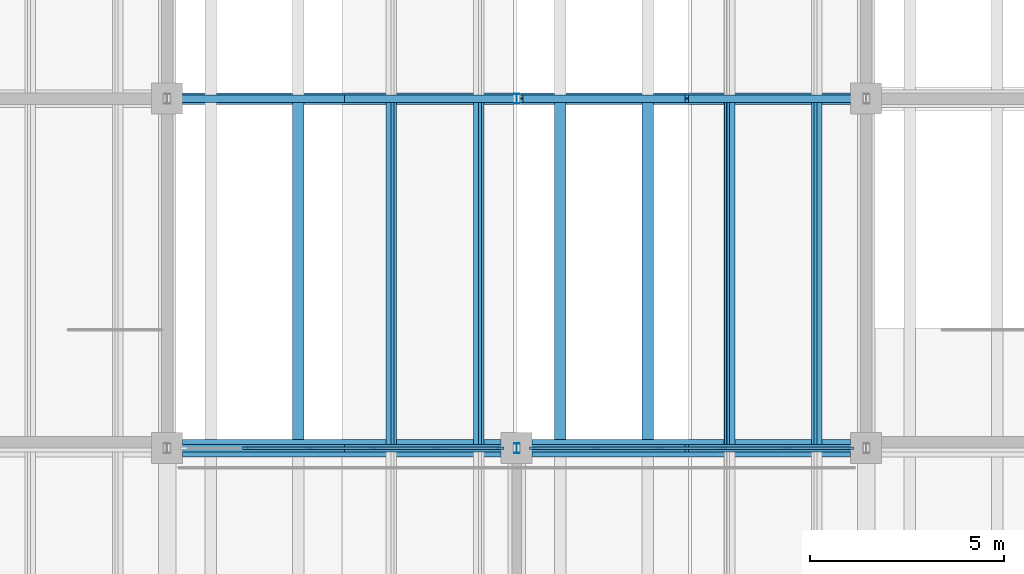
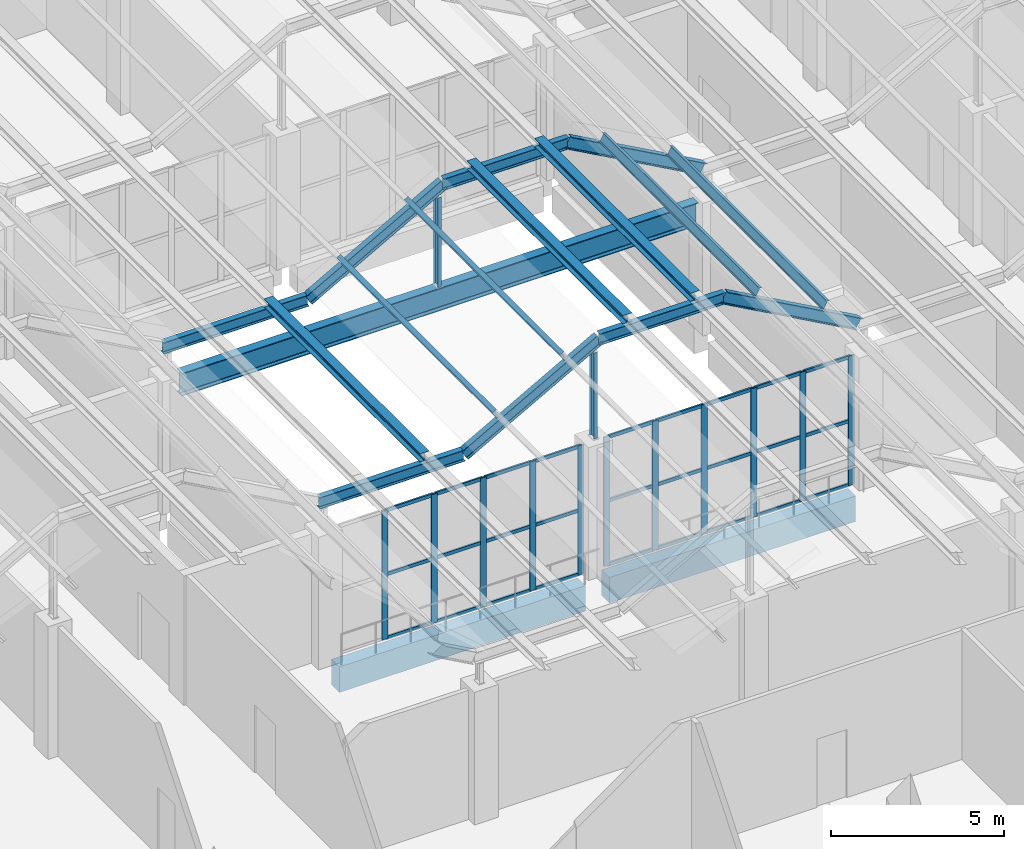
# One storey, part 35 of 437: 55 members, 3 beams, 2 elements without a shape of their own.
"""IFC4 building model written with IfcOpenShell, lengths in metres."""

from ifc_helpers import new_model, si_unit, direction, frame, origin, origin_2d, place, context, subcontext, project, spatial, rectangle, i_section, extrude, material, layer, layer_set, material_profile, profile_set, type_object, element, aggregate, save


model = new_model("IFC4")

# Units and contexts
model_context = context("Model", 3, precision=1e-05, world=origin(), true_north=direction((0.0, 1.0)))
body_context = subcontext(model_context, "Body", "Model", "MODEL_VIEW")
ifc_project = project(units=[si_unit("LENGTHUNIT", "METRE"), si_unit("AREAUNIT", "SQUARE_METRE"), si_unit("VOLUMEUNIT", "CUBIC_METRE"), si_unit("PLANEANGLEUNIT", "RADIAN"), si_unit("MASSUNIT", "GRAM", prefix="KILO")], contexts=[model_context])

# Site, building, storey
site_placement = place(None, origin())
site = spatial("IfcSite", under=ifc_project, at=site_placement, CompositionType="ELEMENT")
building_placement = place(site_placement, origin())
building = spatial("IfcBuilding", under=site, at=building_placement, Name="Opaline Strait Convention Centre", CompositionType="ELEMENT")
storey_placement = place(building_placement, frame((0.0, 0.0, 11.5)))
storey = spatial("IfcBuildingStorey", under=building, at=storey_placement, Name="L02", CompositionType="ELEMENT", Elevation=11.5)

# Beam
ifc_material_1 = material(Name="Steel Q355B", Category="steel")
ifc_material_profile_1 = material_profile(ifc_material_1, i_section(OverallWidth=0.300048828125, OverallDepth=0.800048828125, WebThickness=0.013916015625, FlangeThickness=0.02587890625, FilletRadius=0.01806640625, at=origin_2d()), Name="HN 800x300x14x26")
ifc_profile_set_1 = profile_set([ifc_material_profile_1], Name="Steel Q355B")
beam_type_1 = type_object("IfcBeamType", Name="Court roof beam HN 800x300x14x26", PredefinedType="BEAM", material=ifc_profile_set_1)
beam_placement = place(storey_placement, frame((36.39990234375, 54.0, 4.14990234375), z_axis=(1.0, 0.0, 0.0), x_axis=(0.0, 1.0, 0.0)))
element("IfcBeam", 1, at=beam_placement, inside=storey, type_object=beam_type_1, Name="RV1 court roof beam at y 54", PredefinedType="BEAM", context=body_context, shape_type="SweptSolid", body=[
    extrude(i_section(OverallWidth=0.300048828125, OverallDepth=0.800048828125, WebThickness=0.013916015625, FlangeThickness=0.02587890625, FilletRadius=0.01806640625, at=origin_2d()), origin(), (0.0, 0.0, 1.0), 17.2001953125),
])

# Members
ifc_material_profile_2 = material_profile(ifc_material_1, i_section(OverallWidth=0.300048828125, OverallDepth=0.300048828125, WebThickness=0.010009765625, FlangeThickness=0.014892578125, FilletRadius=0.012939453125, at=origin_2d()), Name="HW 300x300x10x15")
ifc_profile_set_2 = profile_set([ifc_material_profile_2], Name="Steel Q355B")
member_type_1 = type_object("IfcMemberType", Name="Crest purlin HW 300x300x10x15", PredefinedType="PURLIN", material=ifc_profile_set_2)
for number, where, z_axis, x_axis, name in (
    (2, (39.375, 45.0, 5.949951171875), (0.0, 1.0, 0.0), (-1.0, 0.0, 0.0), "RU1 purlin facet 7 line 2"),
    (3, (46.125, 45.0, 8.449951171875), (0.0, 1.0, 0.0), (-1.0, 0.0, 0.0), "RU1 purlin facet 9 line 1"),
    (4, (48.375, 45.0, 8.449951171875), (0.0, 1.0, 0.0), (-1.0, 0.0, 0.0), "RU1 purlin facet 9 line 2"),
):
    element("IfcMember", number, at=place(storey_placement, frame(where, z_axis=z_axis, x_axis=x_axis)), inside=storey, type_object=member_type_1, Name=name, PredefinedType="PURLIN", context=body_context, shape_type="SweptSolid", body=[
        extrude(i_section(OverallWidth=0.300048828125, OverallDepth=0.300048828125, WebThickness=0.010009765625, FlangeThickness=0.014892578125, FilletRadius=0.012939453125, at=origin_2d()), origin(), (0.0, 0.0, 1.0), 9.0),
    ])

# Curtain wall, members
ifc_material_2 = material(Name="Aluminium framed double glazing", Category="aluminium")
ifc_layer = layer(ifc_material_2, 0.199951171875)
ifc_layer_set = layer_set([ifc_layer], Name="Aluminium framed double glazing")
curtain_wall_type = type_object("IfcCurtainWallType", Name="Curtain wall 1500 module", PredefinedType="NOTDEFINED", material=ifc_layer_set)
curtain_wall_1_placement = place(storey_placement, origin())
curtain_wall_1 = element("IfcCurtainWall", 5, at=curtain_wall_1_placement, inside=storey, type_object=curtain_wall_type, Name="L02 court glazing Sc 1", PredefinedType="NOTDEFINED")
ifc_material_3 = material(Name="Aluminium alloy 6063", Category="aluminium")
ifc_material_profile_3 = material_profile(ifc_material_3, rectangle(XDim=0.06005859375, YDim=0.199951171875, at=origin_2d()), Name="Curtain wall mullion 60x200")
ifc_profile_set_3 = profile_set([ifc_material_profile_3], Name="Aluminium alloy 6063")
member_type_2 = type_object("IfcMemberType", Name="Curtain wall mullion 60x200", PredefinedType="MULLION", material=ifc_profile_set_3)
member_1_placement = place(storey_placement, frame((38.0400390625, 45.0, 0.0), z_axis=(0.0, 0.0, 1.0), x_axis=(0.0, 1.0, 0.0)))
member_1 = element("IfcMember", 6, at=member_1_placement, type_object=member_type_2, Name="RCW1 mullion 2", PredefinedType="MULLION", context=body_context, shape_type="SweptSolid", body=[
    extrude(rectangle(XDim=0.06005859375, YDim=0.199951171875, at=origin_2d()), origin(), (0.0, 0.0, 1.0), 4.550048828125),
])
member_2_placement = place(storey_placement, frame((39.679931640625, 45.0, 0.0), z_axis=(0.0, 0.0, 1.0), x_axis=(0.0, 1.0, 0.0)))
member_2 = element("IfcMember", 7, at=member_2_placement, type_object=member_type_2, Name="RCW1 mullion 3", PredefinedType="MULLION", context=body_context, shape_type="SweptSolid", body=[
    extrude(rectangle(XDim=0.06005859375, YDim=0.199951171875, at=origin_2d()), origin(), (0.0, 0.0, 1.0), 4.550048828125),
])
member_3_placement = place(storey_placement, frame((41.320068359375, 45.0, 0.0), z_axis=(0.0, 0.0, 1.0), x_axis=(0.0, 1.0, 0.0)))
member_3 = element("IfcMember", 8, at=member_3_placement, type_object=member_type_2, Name="RCW1 mullion 4", PredefinedType="MULLION", context=body_context, shape_type="SweptSolid", body=[
    extrude(rectangle(XDim=0.06005859375, YDim=0.199951171875, at=origin_2d()), origin(), (0.0, 0.0, 1.0), 4.550048828125),
])
member_4_placement = place(storey_placement, frame((42.9599609375, 45.0, 0.0), z_axis=(0.0, 0.0, 1.0), x_axis=(0.0, 1.0, 0.0)))
member_4 = element("IfcMember", 9, at=member_4_placement, type_object=member_type_2, Name="RCW1 mullion 5", PredefinedType="MULLION", context=body_context, shape_type="SweptSolid", body=[
    extrude(rectangle(XDim=0.06005859375, YDim=0.199951171875, at=origin_2d()), origin(), (0.0, 0.0, 1.0), 4.550048828125),
])
member_5_placement = place(storey_placement, frame((44.570068359375, 45.0, 0.0), z_axis=(0.0, 0.0, 1.0), x_axis=(0.0, 1.0, 0.0)))
member_5 = element("IfcMember", 10, at=member_5_placement, type_object=member_type_2, Name="RCW1 mullion 6", PredefinedType="MULLION", context=body_context, shape_type="SweptSolid", body=[
    extrude(rectangle(XDim=0.06005859375, YDim=0.199951171875, at=origin_2d()), origin(), (0.0, 0.0, 1.0), 4.550048828125),
])

curtain_wall_2_placement = place(storey_placement, origin())
curtain_wall_2 = element("IfcCurtainWall", 11, at=curtain_wall_2_placement, inside=storey, type_object=curtain_wall_type, Name="L02 court glazing Sc 2", PredefinedType="NOTDEFINED")
member_6_placement = place(storey_placement, frame((45.429931640625, 45.0, 0.0), z_axis=(0.0, 0.0, 1.0), x_axis=(0.0, 1.0, 0.0)))
member_6 = element("IfcMember", 12, at=member_6_placement, type_object=member_type_2, Name="RCW1 mullion 1", PredefinedType="MULLION", context=body_context, shape_type="SweptSolid", body=[
    extrude(rectangle(XDim=0.06005859375, YDim=0.199951171875, at=origin_2d()), origin(), (0.0, 0.0, 1.0), 4.550048828125),
])
member_7_placement = place(storey_placement, frame((47.0400390625, 45.0, 0.0), z_axis=(0.0, 0.0, 1.0), x_axis=(0.0, 1.0, 0.0)))
member_7 = element("IfcMember", 13, at=member_7_placement, type_object=member_type_2, Name="RCW1 mullion 2", PredefinedType="MULLION", context=body_context, shape_type="SweptSolid", body=[
    extrude(rectangle(XDim=0.06005859375, YDim=0.199951171875, at=origin_2d()), origin(), (0.0, 0.0, 1.0), 4.550048828125),
])
member_8_placement = place(storey_placement, frame((48.679931640625, 45.0, 0.0), z_axis=(0.0, 0.0, 1.0), x_axis=(0.0, 1.0, 0.0)))
member_8 = element("IfcMember", 14, at=member_8_placement, type_object=member_type_2, Name="RCW1 mullion 3", PredefinedType="MULLION", context=body_context, shape_type="SweptSolid", body=[
    extrude(rectangle(XDim=0.06005859375, YDim=0.199951171875, at=origin_2d()), origin(), (0.0, 0.0, 1.0), 4.550048828125),
])
member_9_placement = place(storey_placement, frame((50.320068359375, 45.0, 0.0), z_axis=(0.0, 0.0, 1.0), x_axis=(0.0, 1.0, 0.0)))
member_9 = element("IfcMember", 15, at=member_9_placement, type_object=member_type_2, Name="RCW1 mullion 4", PredefinedType="MULLION", context=body_context, shape_type="SweptSolid", body=[
    extrude(rectangle(XDim=0.06005859375, YDim=0.199951171875, at=origin_2d()), origin(), (0.0, 0.0, 1.0), 4.550048828125),
])
member_10_placement = place(storey_placement, frame((51.9599609375, 45.0, 0.0), z_axis=(0.0, 0.0, 1.0), x_axis=(0.0, 1.0, 0.0)))
member_10 = element("IfcMember", 16, at=member_10_placement, type_object=member_type_2, Name="RCW1 mullion 5", PredefinedType="MULLION", context=body_context, shape_type="SweptSolid", body=[
    extrude(rectangle(XDim=0.06005859375, YDim=0.199951171875, at=origin_2d()), origin(), (0.0, 0.0, 1.0), 4.550048828125),
])
member_11_placement = place(storey_placement, frame((53.570068359375, 45.0, 0.0), z_axis=(0.0, 0.0, 1.0), x_axis=(0.0, 1.0, 0.0)))
member_11 = element("IfcMember", 17, at=member_11_placement, type_object=member_type_2, Name="RCW1 mullion 6", PredefinedType="MULLION", context=body_context, shape_type="SweptSolid", body=[
    extrude(rectangle(XDim=0.06005859375, YDim=0.199951171875, at=origin_2d()), origin(), (0.0, 0.0, 1.0), 4.550048828125),
])

# Member
ifc_material_profile_4 = material_profile(ifc_material_3, rectangle(XDim=0.06005859375, YDim=0.1201171875, at=origin_2d()), Name="Curtain wall transom 60x120")
ifc_profile_set_4 = profile_set([ifc_material_profile_4], Name="Aluminium alloy 6063")
member_type_3 = type_object("IfcMemberType", Name="Curtain wall transom 60x120", PredefinedType="USERDEFINED", material=ifc_profile_set_4)
member_12_placement = place(storey_placement, frame((38.06982421875, 45.0, 0.030029296875), z_axis=(1.0, 0.0, 0.0), x_axis=(0.0, 1.0, 0.0)))
member_12 = element("IfcMember", 18, at=member_12_placement, type_object=member_type_3, Name="RCW1 transom 2.1", ObjectType="TRANSOM", PredefinedType="USERDEFINED", context=body_context, shape_type="SweptSolid", body=[
    extrude(rectangle(XDim=0.06005859375, YDim=0.1201171875, at=origin_2d()), origin(), (0.0, 0.0, 1.0), 1.580078125),
])

member_13_placement = place(storey_placement, frame((38.06982421875, 45.0, 2.27490234375), z_axis=(1.0, 0.0, 0.0), x_axis=(0.0, 1.0, 0.0)))
member_13 = element("IfcMember", 19, at=member_13_placement, type_object=member_type_3, Name="RCW1 transom 2.2", ObjectType="TRANSOM", PredefinedType="USERDEFINED", context=body_context, shape_type="SweptSolid", body=[
    extrude(rectangle(XDim=0.06005859375, YDim=0.1201171875, at=origin_2d()), origin(), (0.0, 0.0, 1.0), 1.580078125),
])

member_14_placement = place(storey_placement, frame((38.06982421875, 45.0, 4.52001953125), z_axis=(1.0, 0.0, 0.0), x_axis=(0.0, 1.0, 0.0)))
member_14 = element("IfcMember", 20, at=member_14_placement, type_object=member_type_3, Name="RCW1 transom 2.3", ObjectType="TRANSOM", PredefinedType="USERDEFINED", context=body_context, shape_type="SweptSolid", body=[
    extrude(rectangle(XDim=0.06005859375, YDim=0.1201171875, at=origin_2d()), origin(), (0.0, 0.0, 1.0), 1.580078125),
])

member_15_placement = place(storey_placement, frame((39.7099609375, 45.0, 0.030029296875), z_axis=(1.0, 0.0, 0.0), x_axis=(0.0, 1.0, 0.0)))
member_15 = element("IfcMember", 21, at=member_15_placement, type_object=member_type_3, Name="RCW1 transom 3.1", ObjectType="TRANSOM", PredefinedType="USERDEFINED", context=body_context, shape_type="SweptSolid", body=[
    extrude(rectangle(XDim=0.06005859375, YDim=0.1201171875, at=origin_2d()), origin(), (0.0, 0.0, 1.0), 1.580078125),
])

member_16_placement = place(storey_placement, frame((39.7099609375, 45.0, 2.27490234375), z_axis=(1.0, 0.0, 0.0), x_axis=(0.0, 1.0, 0.0)))
member_16 = element("IfcMember", 22, at=member_16_placement, type_object=member_type_3, Name="RCW1 transom 3.2", ObjectType="TRANSOM", PredefinedType="USERDEFINED", context=body_context, shape_type="SweptSolid", body=[
    extrude(rectangle(XDim=0.06005859375, YDim=0.1201171875, at=origin_2d()), origin(), (0.0, 0.0, 1.0), 1.580078125),
])

member_17_placement = place(storey_placement, frame((39.7099609375, 45.0, 4.52001953125), z_axis=(1.0, 0.0, 0.0), x_axis=(0.0, 1.0, 0.0)))
member_17 = element("IfcMember", 23, at=member_17_placement, type_object=member_type_3, Name="RCW1 transom 3.3", ObjectType="TRANSOM", PredefinedType="USERDEFINED", context=body_context, shape_type="SweptSolid", body=[
    extrude(rectangle(XDim=0.06005859375, YDim=0.1201171875, at=origin_2d()), origin(), (0.0, 0.0, 1.0), 1.580078125),
])

member_18_placement = place(storey_placement, frame((41.35009765625, 45.0, 0.030029296875), z_axis=(1.0, 0.0, 0.0), x_axis=(0.0, 1.0, 0.0)))
member_18 = element("IfcMember", 24, at=member_18_placement, type_object=member_type_3, Name="RCW1 transom 4.1", ObjectType="TRANSOM", PredefinedType="USERDEFINED", context=body_context, shape_type="SweptSolid", body=[
    extrude(rectangle(XDim=0.06005859375, YDim=0.1201171875, at=origin_2d()), origin(), (0.0, 0.0, 1.0), 1.580078125),
])

member_19_placement = place(storey_placement, frame((41.35009765625, 45.0, 2.27490234375), z_axis=(1.0, 0.0, 0.0), x_axis=(0.0, 1.0, 0.0)))
member_19 = element("IfcMember", 25, at=member_19_placement, type_object=member_type_3, Name="RCW1 transom 4.2", ObjectType="TRANSOM", PredefinedType="USERDEFINED", context=body_context, shape_type="SweptSolid", body=[
    extrude(rectangle(XDim=0.06005859375, YDim=0.1201171875, at=origin_2d()), origin(), (0.0, 0.0, 1.0), 1.580078125),
])

member_20_placement = place(storey_placement, frame((41.35009765625, 45.0, 4.52001953125), z_axis=(1.0, 0.0, 0.0), x_axis=(0.0, 1.0, 0.0)))
member_20 = element("IfcMember", 26, at=member_20_placement, type_object=member_type_3, Name="RCW1 transom 4.3", ObjectType="TRANSOM", PredefinedType="USERDEFINED", context=body_context, shape_type="SweptSolid", body=[
    extrude(rectangle(XDim=0.06005859375, YDim=0.1201171875, at=origin_2d()), origin(), (0.0, 0.0, 1.0), 1.580078125),
])

member_21_placement = place(storey_placement, frame((42.989990234375, 45.0, 0.030029296875), z_axis=(1.0, 0.0, 0.0), x_axis=(0.0, 1.0, 0.0)))
member_21 = element("IfcMember", 27, at=member_21_placement, type_object=member_type_3, Name="RCW1 transom 5.1", ObjectType="TRANSOM", PredefinedType="USERDEFINED", context=body_context, shape_type="SweptSolid", body=[
    extrude(rectangle(XDim=0.06005859375, YDim=0.1201171875, at=origin_2d()), origin(), (0.0, 0.0, 1.0), 1.550048828125),
])

member_22_placement = place(storey_placement, frame((42.989990234375, 45.0, 2.27490234375), z_axis=(1.0, 0.0, 0.0), x_axis=(0.0, 1.0, 0.0)))
member_22 = element("IfcMember", 28, at=member_22_placement, type_object=member_type_3, Name="RCW1 transom 5.2", ObjectType="TRANSOM", PredefinedType="USERDEFINED", context=body_context, shape_type="SweptSolid", body=[
    extrude(rectangle(XDim=0.06005859375, YDim=0.1201171875, at=origin_2d()), origin(), (0.0, 0.0, 1.0), 1.550048828125),
])

member_23_placement = place(storey_placement, frame((42.989990234375, 45.0, 4.52001953125), z_axis=(1.0, 0.0, 0.0), x_axis=(0.0, 1.0, 0.0)))
member_23 = element("IfcMember", 29, at=member_23_placement, type_object=member_type_3, Name="RCW1 transom 5.3", ObjectType="TRANSOM", PredefinedType="USERDEFINED", context=body_context, shape_type="SweptSolid", body=[
    extrude(rectangle(XDim=0.06005859375, YDim=0.1201171875, at=origin_2d()), origin(), (0.0, 0.0, 1.0), 1.550048828125),
])

aggregate(curtain_wall_1, [member_1, member_2, member_3, member_4, member_5, member_12, member_13, member_14, member_15, member_16, member_17, member_18, member_19, member_20, member_21, member_22, member_23])

member_24_placement = place(storey_placement, frame((45.4599609375, 45.0, 0.030029296875), z_axis=(1.0, 0.0, 0.0), x_axis=(0.0, 1.0, 0.0)))
member_24 = element("IfcMember", 30, at=member_24_placement, type_object=member_type_3, Name="RCW1 transom 1.1", ObjectType="TRANSOM", PredefinedType="USERDEFINED", context=body_context, shape_type="SweptSolid", body=[
    extrude(rectangle(XDim=0.06005859375, YDim=0.1201171875, at=origin_2d()), origin(), (0.0, 0.0, 1.0), 1.550048828125),
])

member_25_placement = place(storey_placement, frame((45.4599609375, 45.0, 2.27490234375), z_axis=(1.0, 0.0, 0.0), x_axis=(0.0, 1.0, 0.0)))
member_25 = element("IfcMember", 31, at=member_25_placement, type_object=member_type_3, Name="RCW1 transom 1.2", ObjectType="TRANSOM", PredefinedType="USERDEFINED", context=body_context, shape_type="SweptSolid", body=[
    extrude(rectangle(XDim=0.06005859375, YDim=0.1201171875, at=origin_2d()), origin(), (0.0, 0.0, 1.0), 1.550048828125),
])

member_26_placement = place(storey_placement, frame((45.4599609375, 45.0, 4.52001953125), z_axis=(1.0, 0.0, 0.0), x_axis=(0.0, 1.0, 0.0)))
member_26 = element("IfcMember", 32, at=member_26_placement, type_object=member_type_3, Name="RCW1 transom 1.3", ObjectType="TRANSOM", PredefinedType="USERDEFINED", context=body_context, shape_type="SweptSolid", body=[
    extrude(rectangle(XDim=0.06005859375, YDim=0.1201171875, at=origin_2d()), origin(), (0.0, 0.0, 1.0), 1.550048828125),
])

member_27_placement = place(storey_placement, frame((47.06982421875, 45.0, 0.030029296875), z_axis=(1.0, 0.0, 0.0), x_axis=(0.0, 1.0, 0.0)))
member_27 = element("IfcMember", 33, at=member_27_placement, type_object=member_type_3, Name="RCW1 transom 2.1", ObjectType="TRANSOM", PredefinedType="USERDEFINED", context=body_context, shape_type="SweptSolid", body=[
    extrude(rectangle(XDim=0.06005859375, YDim=0.1201171875, at=origin_2d()), origin(), (0.0, 0.0, 1.0), 1.580078125),
])

member_28_placement = place(storey_placement, frame((47.06982421875, 45.0, 2.27490234375), z_axis=(1.0, 0.0, 0.0), x_axis=(0.0, 1.0, 0.0)))
member_28 = element("IfcMember", 34, at=member_28_placement, type_object=member_type_3, Name="RCW1 transom 2.2", ObjectType="TRANSOM", PredefinedType="USERDEFINED", context=body_context, shape_type="SweptSolid", body=[
    extrude(rectangle(XDim=0.06005859375, YDim=0.1201171875, at=origin_2d()), origin(), (0.0, 0.0, 1.0), 1.580078125),
])

member_29_placement = place(storey_placement, frame((47.06982421875, 45.0, 4.52001953125), z_axis=(1.0, 0.0, 0.0), x_axis=(0.0, 1.0, 0.0)))
member_29 = element("IfcMember", 35, at=member_29_placement, type_object=member_type_3, Name="RCW1 transom 2.3", ObjectType="TRANSOM", PredefinedType="USERDEFINED", context=body_context, shape_type="SweptSolid", body=[
    extrude(rectangle(XDim=0.06005859375, YDim=0.1201171875, at=origin_2d()), origin(), (0.0, 0.0, 1.0), 1.580078125),
])

member_30_placement = place(storey_placement, frame((48.7099609375, 45.0, 0.030029296875), z_axis=(1.0, 0.0, 0.0), x_axis=(0.0, 1.0, 0.0)))
member_30 = element("IfcMember", 36, at=member_30_placement, type_object=member_type_3, Name="RCW1 transom 3.1", ObjectType="TRANSOM", PredefinedType="USERDEFINED", context=body_context, shape_type="SweptSolid", body=[
    extrude(rectangle(XDim=0.06005859375, YDim=0.1201171875, at=origin_2d()), origin(), (0.0, 0.0, 1.0), 1.580078125),
])

member_31_placement = place(storey_placement, frame((48.7099609375, 45.0, 2.27490234375), z_axis=(1.0, 0.0, 0.0), x_axis=(0.0, 1.0, 0.0)))
member_31 = element("IfcMember", 37, at=member_31_placement, type_object=member_type_3, Name="RCW1 transom 3.2", ObjectType="TRANSOM", PredefinedType="USERDEFINED", context=body_context, shape_type="SweptSolid", body=[
    extrude(rectangle(XDim=0.06005859375, YDim=0.1201171875, at=origin_2d()), origin(), (0.0, 0.0, 1.0), 1.580078125),
])

member_32_placement = place(storey_placement, frame((48.7099609375, 45.0, 4.52001953125), z_axis=(1.0, 0.0, 0.0), x_axis=(0.0, 1.0, 0.0)))
member_32 = element("IfcMember", 38, at=member_32_placement, type_object=member_type_3, Name="RCW1 transom 3.3", ObjectType="TRANSOM", PredefinedType="USERDEFINED", context=body_context, shape_type="SweptSolid", body=[
    extrude(rectangle(XDim=0.06005859375, YDim=0.1201171875, at=origin_2d()), origin(), (0.0, 0.0, 1.0), 1.580078125),
])

member_33_placement = place(storey_placement, frame((50.35009765625, 45.0, 0.030029296875), z_axis=(1.0, 0.0, 0.0), x_axis=(0.0, 1.0, 0.0)))
member_33 = element("IfcMember", 39, at=member_33_placement, type_object=member_type_3, Name="RCW1 transom 4.1", ObjectType="TRANSOM", PredefinedType="USERDEFINED", context=body_context, shape_type="SweptSolid", body=[
    extrude(rectangle(XDim=0.06005859375, YDim=0.1201171875, at=origin_2d()), origin(), (0.0, 0.0, 1.0), 1.580078125),
])

member_34_placement = place(storey_placement, frame((50.35009765625, 45.0, 2.27490234375), z_axis=(1.0, 0.0, 0.0), x_axis=(0.0, 1.0, 0.0)))
member_34 = element("IfcMember", 40, at=member_34_placement, type_object=member_type_3, Name="RCW1 transom 4.2", ObjectType="TRANSOM", PredefinedType="USERDEFINED", context=body_context, shape_type="SweptSolid", body=[
    extrude(rectangle(XDim=0.06005859375, YDim=0.1201171875, at=origin_2d()), origin(), (0.0, 0.0, 1.0), 1.580078125),
])

member_35_placement = place(storey_placement, frame((50.35009765625, 45.0, 4.52001953125), z_axis=(1.0, 0.0, 0.0), x_axis=(0.0, 1.0, 0.0)))
member_35 = element("IfcMember", 41, at=member_35_placement, type_object=member_type_3, Name="RCW1 transom 4.3", ObjectType="TRANSOM", PredefinedType="USERDEFINED", context=body_context, shape_type="SweptSolid", body=[
    extrude(rectangle(XDim=0.06005859375, YDim=0.1201171875, at=origin_2d()), origin(), (0.0, 0.0, 1.0), 1.580078125),
])

member_36_placement = place(storey_placement, frame((51.989990234375, 45.0, 0.030029296875), z_axis=(1.0, 0.0, 0.0), x_axis=(0.0, 1.0, 0.0)))
member_36 = element("IfcMember", 42, at=member_36_placement, type_object=member_type_3, Name="RCW1 transom 5.1", ObjectType="TRANSOM", PredefinedType="USERDEFINED", context=body_context, shape_type="SweptSolid", body=[
    extrude(rectangle(XDim=0.06005859375, YDim=0.1201171875, at=origin_2d()), origin(), (0.0, 0.0, 1.0), 1.550048828125),
])

member_37_placement = place(storey_placement, frame((51.989990234375, 45.0, 2.27490234375), z_axis=(1.0, 0.0, 0.0), x_axis=(0.0, 1.0, 0.0)))
member_37 = element("IfcMember", 43, at=member_37_placement, type_object=member_type_3, Name="RCW1 transom 5.2", ObjectType="TRANSOM", PredefinedType="USERDEFINED", context=body_context, shape_type="SweptSolid", body=[
    extrude(rectangle(XDim=0.06005859375, YDim=0.1201171875, at=origin_2d()), origin(), (0.0, 0.0, 1.0), 1.550048828125),
])

member_38_placement = place(storey_placement, frame((51.989990234375, 45.0, 4.52001953125), z_axis=(1.0, 0.0, 0.0), x_axis=(0.0, 1.0, 0.0)))
member_38 = element("IfcMember", 44, at=member_38_placement, type_object=member_type_3, Name="RCW1 transom 5.3", ObjectType="TRANSOM", PredefinedType="USERDEFINED", context=body_context, shape_type="SweptSolid", body=[
    extrude(rectangle(XDim=0.06005859375, YDim=0.1201171875, at=origin_2d()), origin(), (0.0, 0.0, 1.0), 1.550048828125),
])

aggregate(curtain_wall_2, [member_6, member_7, member_8, member_9, member_10, member_11, member_24, member_25, member_26, member_27, member_28, member_29, member_30, member_31, member_32, member_33, member_34, member_35, member_36, member_37, member_38])

# Beams
ifc_material_4 = material(Name="Concrete C35", Category="concrete")
ifc_material_profile_5 = material_profile(ifc_material_4, rectangle(XDim=0.449951171875, YDim=0.89990234375, at=origin_2d()), Name="RC 450x900")
ifc_profile_set_5 = profile_set([ifc_material_profile_5], Name="Concrete C35")
beam_type_2 = type_object("IfcBeamType", Name="RC beam 450x900 C35", PredefinedType="BEAM", material=ifc_profile_set_5)
for number, where, z_axis, x_axis, name in (
    (45, (36.39990234375, 45.0, -0.72998046875), (1.0, 0.0, 0.0), (0.0, 1.0, 0.0), "XB1 L02 36/45-45/45"),
    (46, (45.39990234375, 45.0, -0.72998046875), (1.0, 0.0, 0.0), (0.0, 1.0, 0.0), "XB1 L02 45/45-54/45"),
):
    element("IfcBeam", number, at=place(storey_placement, frame(where, z_axis=z_axis, x_axis=x_axis)), inside=storey, type_object=beam_type_2, Name=name, PredefinedType="BEAM", context=body_context, shape_type="SweptSolid", body=[
        extrude(rectangle(XDim=0.449951171875, YDim=0.89990234375, at=origin_2d()), origin(), (0.0, 0.0, 1.0), 8.2001953125),
    ])

# Members
ifc_material_profile_6 = material_profile(ifc_material_1, i_section(OverallWidth=0.125, OverallDepth=0.25, WebThickness=0.006103515625, FlangeThickness=0.009033203125, FilletRadius=0.008056640625, at=origin_2d()), Name="HN 250x125x6x9")
ifc_profile_set_6 = profile_set([ifc_material_profile_6], Name="Steel Q355B")
member_type_4 = type_object("IfcMemberType", Name="Roof post HN 250x125x6x9", PredefinedType="STRUT", material=ifc_profile_set_6)
member_39_placement = place(storey_placement, frame((45.0, 45.0, 4.68994140625), z_axis=(0.0, 0.0, 1.0), x_axis=(1.0, 0.0, 0.0)))
element("IfcMember", 47, at=member_39_placement, inside=storey, type_object=member_type_4, Name="RP1 roof post at 45/45", PredefinedType="STRUT", context=body_context, shape_type="SweptSolid", body=[
    extrude(i_section(OverallWidth=0.125, OverallDepth=0.25, WebThickness=0.006103515625, FlangeThickness=0.009033203125, FilletRadius=0.008056640625, at=origin_2d()), origin(), (0.0, 0.0, 1.0), 3.031005859375),
])
member_40_placement = place(storey_placement, frame((45.0, 54.0, 4.570068359375), z_axis=(0.0, 0.0, 1.0), x_axis=(1.0, 0.0, 0.0)))
element("IfcMember", 48, at=member_40_placement, inside=storey, type_object=member_type_4, Name="RP1 roof post at 45/54", PredefinedType="STRUT", context=body_context, shape_type="SweptSolid", body=[
    extrude(i_section(OverallWidth=0.125, OverallDepth=0.25, WebThickness=0.006103515625, FlangeThickness=0.009033203125, FilletRadius=0.008056640625, at=origin_2d()), origin(), (0.0, 0.0, 1.0), 3.15087890625),
])
ifc_material_profile_7 = material_profile(ifc_material_1, i_section(OverallWidth=0.14990234375, OverallDepth=0.300048828125, WebThickness=0.006591796875, FlangeThickness=0.009033203125, FilletRadius=0.012939453125, at=origin_2d()), Name="HN 300x150x6.5x9")
ifc_profile_set_7 = profile_set([ifc_material_profile_7], Name="Steel Q355B")
member_type_5 = type_object("IfcMemberType", Name="Roof purlin HN 300x150x6.5x9", PredefinedType="PURLIN", material=ifc_profile_set_7)
for number, where, z_axis, x_axis, name in (
    (49, (41.770751953125, 45.0, 6.61279296875), (0.0, 1.0, 0.0), (-0.874157310866, 0.0, -0.485642868639), "RU1 purlin facet 8 line 1"),
    (50, (44.020751953125, 45.0, 7.86279296875), (0.0, 1.0, 0.0), (-0.874157310866, 0.0, -0.485642868639), "RU1 purlin facet 8 line 2"),
    (51, (50.479248046875, 45.0, 7.86279296875), (0.0, 1.0, 0.0), (-0.874157310866, 0.0, 0.485642868639), "RU1 purlin facet 10 line 1"),
    (52, (52.729248046875, 45.0, 6.61279296875), (0.0, 1.0, 0.0), (-0.874157310866, 0.0, 0.485642868639), "RU1 purlin facet 10 line 2"),
):
    element("IfcMember", number, at=place(storey_placement, frame(where, z_axis=z_axis, x_axis=x_axis)), inside=storey, type_object=member_type_5, Name=name, PredefinedType="PURLIN", context=body_context, shape_type="SweptSolid", body=[
        extrude(i_section(OverallWidth=0.14990234375, OverallDepth=0.300048828125, WebThickness=0.006591796875, FlangeThickness=0.009033203125, FilletRadius=0.012939453125, at=origin_2d()), origin(), (0.0, 0.0, 1.0), 9.0),
    ])
ifc_material_profile_8 = material_profile(ifc_material_1, i_section(OverallWidth=0.199951171875, OverallDepth=0.39990234375, WebThickness=0.008056640625, FlangeThickness=0.012939453125, FilletRadius=0.012939453125, at=origin_2d()), Name="HN 400x200x8x13")
ifc_profile_set_8 = profile_set([ifc_material_profile_8], Name="Steel Q355B")
member_type_6 = type_object("IfcMemberType", Name="Roof rafter HN 400x200x8x13", PredefinedType="RAFTER", material=ifc_profile_set_8)
member_41_placement = place(storey_placement, frame((35.83154296875, 45.0, 5.60009765625), z_axis=(1.0, 0.0, 0.0), x_axis=(0.0, 1.0, 0.0)))
element("IfcMember", 53, at=member_41_placement, inside=storey, type_object=member_type_6, Name="RR1 rafter line 5 facet 8", PredefinedType="RAFTER", context=body_context, shape_type="SweptSolid", body=[
    extrude(i_section(OverallWidth=0.199951171875, OverallDepth=0.39990234375, WebThickness=0.008056640625, FlangeThickness=0.012939453125, FilletRadius=0.012939453125, at=origin_2d()), origin(), (0.0, 0.0, 1.0), 4.8369140625),
])
member_42_placement = place(storey_placement, frame((40.66845703125, 45.0, 5.60009765625), z_axis=(0.874157276122, 0.0, 0.485642931179), x_axis=(0.0, 1.0, 0.0)))
element("IfcMember", 54, at=member_42_placement, inside=storey, type_object=member_type_6, Name="RR1 rafter line 5 facet 9", PredefinedType="RAFTER", context=body_context, shape_type="SweptSolid", body=[
    extrude(i_section(OverallWidth=0.199951171875, OverallDepth=0.39990234375, WebThickness=0.008056640625, FlangeThickness=0.012939453125, FilletRadius=0.012939453125, at=origin_2d()), origin(), (0.0, 0.0, 1.0), 5.147705078125),
])
member_43_placement = place(storey_placement, frame((45.16845703125, 45.0, 8.10009765625), z_axis=(1.0, 0.0, 0.0), x_axis=(0.0, 1.0, 0.0)))
element("IfcMember", 55, at=member_43_placement, inside=storey, type_object=member_type_6, Name="RR1 rafter line 5 facet 10", PredefinedType="RAFTER", context=body_context, shape_type="SweptSolid", body=[
    extrude(i_section(OverallWidth=0.199951171875, OverallDepth=0.39990234375, WebThickness=0.008056640625, FlangeThickness=0.012939453125, FilletRadius=0.012939453125, at=origin_2d()), origin(), (0.0, 0.0, 1.0), 4.1630859375),
])
member_44_placement = place(storey_placement, frame((49.33154296875, 45.0, 8.10009765625), z_axis=(0.874157276122, 0.0, -0.485642931179), x_axis=(0.0, 1.0, 0.0)))
element("IfcMember", 56, at=member_44_placement, inside=storey, type_object=member_type_6, Name="RR1 rafter line 5 facet 11", PredefinedType="RAFTER", context=body_context, shape_type="SweptSolid", body=[
    extrude(i_section(OverallWidth=0.199951171875, OverallDepth=0.39990234375, WebThickness=0.008056640625, FlangeThickness=0.012939453125, FilletRadius=0.012939453125, at=origin_2d()), origin(), (0.0, 0.0, 1.0), 5.147705078125),
])
member_45_placement = place(storey_placement, frame((35.83154296875, 54.0, 5.60009765625), z_axis=(1.0, 0.0, 0.0), x_axis=(0.0, 1.0, 0.0)))
element("IfcMember", 57, at=member_45_placement, inside=storey, type_object=member_type_6, Name="RR1 rafter line 6 facet 8", PredefinedType="RAFTER", context=body_context, shape_type="SweptSolid", body=[
    extrude(i_section(OverallWidth=0.199951171875, OverallDepth=0.39990234375, WebThickness=0.008056640625, FlangeThickness=0.012939453125, FilletRadius=0.012939453125, at=origin_2d()), origin(), (0.0, 0.0, 1.0), 4.8369140625),
])
member_46_placement = place(storey_placement, frame((40.66845703125, 54.0, 5.60009765625), z_axis=(0.874157276122, 0.0, 0.485642931179), x_axis=(0.0, 1.0, 0.0)))
element("IfcMember", 58, at=member_46_placement, inside=storey, type_object=member_type_6, Name="RR1 rafter line 6 facet 9", PredefinedType="RAFTER", context=body_context, shape_type="SweptSolid", body=[
    extrude(i_section(OverallWidth=0.199951171875, OverallDepth=0.39990234375, WebThickness=0.008056640625, FlangeThickness=0.012939453125, FilletRadius=0.012939453125, at=origin_2d()), origin(), (0.0, 0.0, 1.0), 5.147705078125),
])
member_47_placement = place(storey_placement, frame((45.16845703125, 54.0, 8.10009765625), z_axis=(1.0, 0.0, 0.0), x_axis=(0.0, 1.0, 0.0)))
element("IfcMember", 59, at=member_47_placement, inside=storey, type_object=member_type_6, Name="RR1 rafter line 6 facet 10", PredefinedType="RAFTER", context=body_context, shape_type="SweptSolid", body=[
    extrude(i_section(OverallWidth=0.199951171875, OverallDepth=0.39990234375, WebThickness=0.008056640625, FlangeThickness=0.012939453125, FilletRadius=0.012939453125, at=origin_2d()), origin(), (0.0, 0.0, 1.0), 4.1630859375),
])
member_48_placement = place(storey_placement, frame((49.33154296875, 54.0, 8.10009765625), z_axis=(0.874157276122, 0.0, -0.485642931179), x_axis=(0.0, 1.0, 0.0)))
element("IfcMember", 60, at=member_48_placement, inside=storey, type_object=member_type_6, Name="RR1 rafter line 6 facet 11", PredefinedType="RAFTER", context=body_context, shape_type="SweptSolid", body=[
    extrude(i_section(OverallWidth=0.199951171875, OverallDepth=0.39990234375, WebThickness=0.008056640625, FlangeThickness=0.012939453125, FilletRadius=0.012939453125, at=origin_2d()), origin(), (0.0, 0.0, 1.0), 5.147705078125),
])

save(model, "model.ifc")
